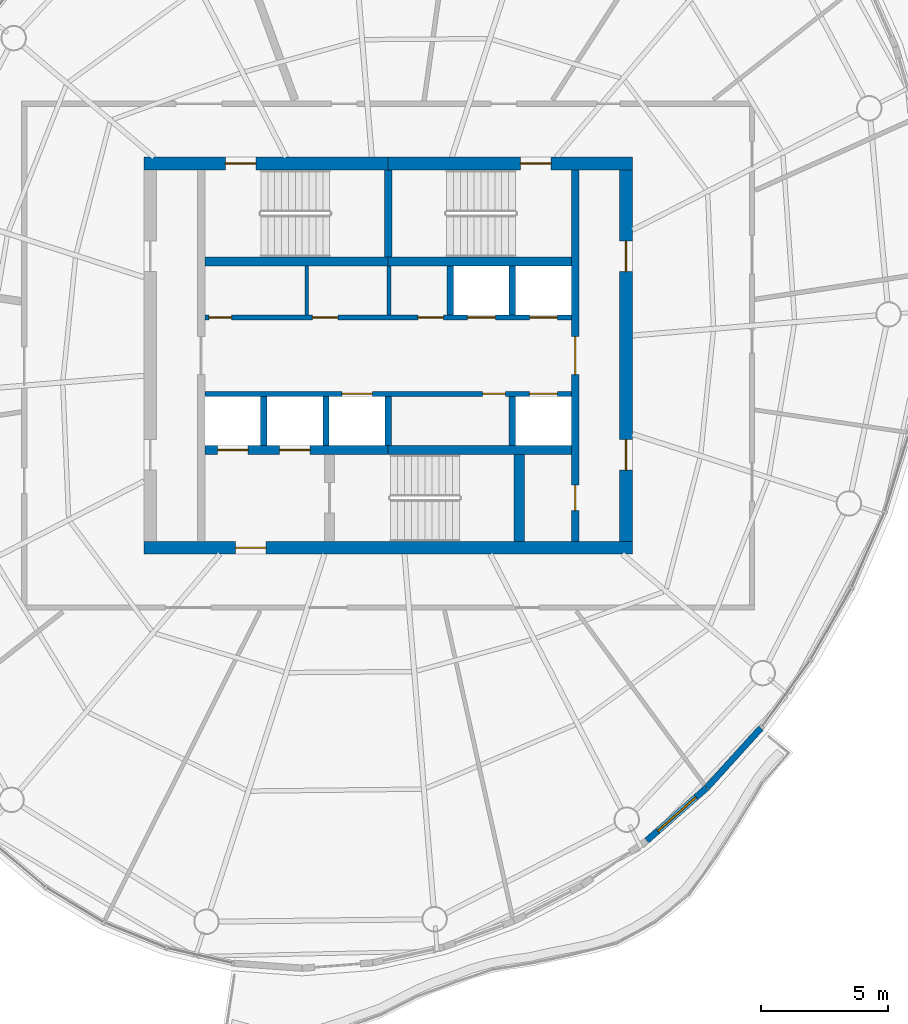
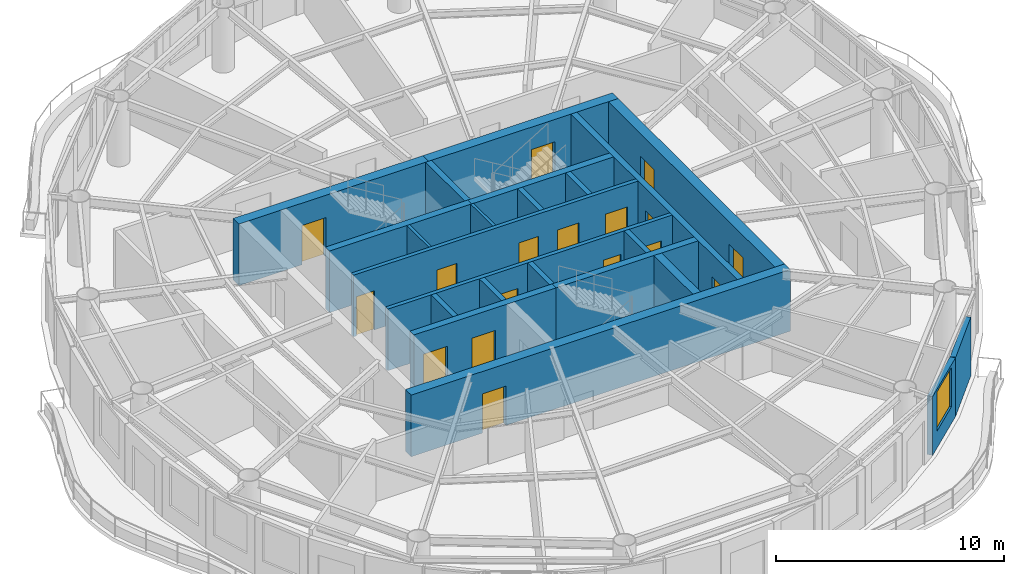
# One storey, part 8 of 13: 23 walls, 17 doors, 1 window, 18 openings.
"""IFC4 building model written with IfcOpenShell, lengths in metres."""

from ifc_helpers import new_model, si_unit, direction, frame, frame_2d, origin, place, context, subcontext, project, spatial, rectangle, extrude, material, layer, layer_set, type_object, element, fill, save


model = new_model("IFC4")

# Units and contexts
model_context = context("Model", 3, precision=1e-05, world=origin(), true_north=direction((0.0, 1.0)))
body_context = subcontext(model_context, "Body", "Model", "MODEL_VIEW")
ifc_project = project(units=[si_unit("LENGTHUNIT", "METRE"), si_unit("AREAUNIT", "SQUARE_METRE"), si_unit("VOLUMEUNIT", "CUBIC_METRE"), si_unit("PLANEANGLEUNIT", "RADIAN"), si_unit("MASSUNIT", "GRAM", prefix="KILO")], contexts=[model_context])

# Site, building, storey
site_placement = place(None, origin())
site = spatial("IfcSite", under=ifc_project, at=site_placement, CompositionType="ELEMENT")
building_placement = place(site_placement, origin())
building = spatial("IfcBuilding", under=site, at=building_placement, Name="Vermilion Reach Broadcast Tower", CompositionType="ELEMENT")
storey_placement = place(building_placement, frame((0.0, 0.0, 286.5)))
storey = spatial("IfcBuildingStorey", under=building, at=storey_placement, Name="L71", CompositionType="ELEMENT", Elevation=286.5)

# Wall, openings, doors
ifc_material_1 = material(Name="Concrete C50", Category="concrete")
ifc_layer_1 = layer(ifc_material_1, 0.300048828125)
ifc_layer_set_1 = layer_set([ifc_layer_1], Name="Core inner wall 300 mm Concrete C50")
wall_type_1 = type_object("IfcWallType", Name="Core inner wall 300 mm Concrete C50", PredefinedType="SHEAR", material=ifc_layer_set_1)
wall_1_placement = place(storey_placement, frame((1.35009765625, -7.300048828125, 0.0), z_axis=(0.0, 0.0, 1.0), x_axis=(0.0, 1.0, 0.0)))
wall_1 = element("IfcWall", 1, at=wall_1_placement, inside=storey, type_object=wall_type_1, Name="L71 core wall ewE", PredefinedType="SHEAR", context=body_context, shape_type="SweptSolid", body=[
    extrude(rectangle(XDim=14.60009765625, YDim=0.300048828125, at=frame_2d((7.300048828125, 0.0))), origin(), (0.0, 0.0, 1.0), 3.300048828125),
])
opening_1_placement = place(wall_1_placement, frame((1.2099609375, 0.0, 0.0)))
opening_1 = element("IfcOpeningElement", 2, at=opening_1_placement, cuts=wall_1, Name="Opening D05", PredefinedType="OPENING", context=body_context, shape_type="SweptSolid", body=[
    extrude(rectangle(XDim=1.0, YDim=2.10009765625, at=frame_2d((0.5, 1.050048828125))), frame((0.0, 0.159912109375, 0.0), z_axis=(0.0, -1.0, 0.0), x_axis=(1.0, 0.0, 0.0)), (0.0, 0.0, 1.0), 0.320068359375),
])
opening_2_placement = place(wall_1_placement, frame((6.550048828125, 0.0, 0.0)))
opening_2 = element("IfcOpeningElement", 3, at=opening_2_placement, cuts=wall_1, Name="Opening D04", PredefinedType="OPENING", context=body_context, shape_type="SweptSolid", body=[
    extrude(rectangle(XDim=1.5, YDim=2.10009765625, at=frame_2d((0.75, 1.050048828125))), frame((0.0, 0.159912109375, 0.0), z_axis=(0.0, -1.0, 0.0), x_axis=(1.0, 0.0, 0.0)), (0.0, 0.0, 1.0), 0.320068359375),
])
ifc_material_2 = material(Name="Painted steel fire door", Category="steel")
door_type_1 = type_object("IfcDoorType", Name="Lift lobby door 1500 x 2100", OperationType="DOUBLE_DOOR_SINGLE_SWING", PredefinedType="NOTDEFINED", material=ifc_material_2)
door_1_placement = place(opening_2_placement, origin())
door_1 = element("IfcDoor", 4, at=door_1_placement, inside=storey, type_object=door_type_1, Name="L71 band door BE", OperationType="DOUBLE_DOOR_SINGLE_SWING", OverallHeight=2.10009765625, OverallWidth=1.5, PredefinedType="NOTDEFINED", context=body_context, shape_type="SweptSolid", body=[
    extrude(rectangle(XDim=1.5, YDim=2.10009765625, at=frame_2d((0.75, 1.050048828125))), frame((0.0, 0.02490234375, 0.0), z_axis=(0.0, -1.0, 0.0), x_axis=(1.0, 0.0, 0.0)), (0.0, 0.0, 1.0), 0.050048828125),
])
fill(opening_2, door_1)
ifc_material_3 = material(Name="Timber door", Category="wood")
door_type_2 = type_object("IfcDoorType", Name="Room door 1000 x 2100", OperationType="NOTDEFINED", PredefinedType="NOTDEFINED", material=ifc_material_3)
door_2_placement = place(opening_1_placement, origin())
door_2 = element("IfcDoor", 5, at=door_2_placement, inside=storey, type_object=door_type_2, Name="L71 door SER", OperationType="SINGLE_SWING_LEFT", OverallHeight=2.10009765625, OverallWidth=1.0, PredefinedType="NOTDEFINED", context=body_context, shape_type="SweptSolid", body=[
    extrude(rectangle(XDim=1.0, YDim=2.10009765625, at=frame_2d((0.5, 1.050048828125))), frame((0.0, 0.02490234375, 0.0), z_axis=(0.0, -1.0, 0.0), x_axis=(1.0, 0.0, 0.0)), (0.0, 0.0, 1.0), 0.050048828125),
])
fill(opening_1, door_2)

# Walls
wall_2_placement = place(storey_placement, frame((-6.0, 3.8798828125, 0.0), z_axis=(0.0, 0.0, 1.0), x_axis=(0.0, 1.0, 0.0)))
element("IfcWall", 6, at=wall_2_placement, inside=storey, type_object=wall_type_1, Name="L71 core wall wc", PredefinedType="SHEAR", context=body_context, shape_type="SweptSolid", body=[
    extrude(rectangle(XDim=3.420166015625, YDim=0.300048828125, at=frame_2d((1.7099609375, 0.0))), origin(), (0.0, 0.0, 1.0), 3.300048828125),
])
ifc_material_4 = material(Name="Concrete C50", Category="concrete")
ifc_layer_2 = layer(ifc_material_4, 0.35009765625)
ifc_layer_set_2 = layer_set([ifc_layer_2], Name="Core inner wall 350 mm Concrete C50")
wall_type_2 = type_object("IfcWallType", Name="Core inner wall 350 mm Concrete C50", PredefinedType="SHEAR", material=ifc_layer_set_2)
for number, where, z_axis, x_axis, name in (
    (7, (-13.199951171875, 3.705078125, 0.0), (0.0, 0.0, 1.0), (1.0, 0.0, 0.0), "L71 core wall winW"),
    (8, (-6.0, 3.705078125, 0.0), (0.0, 0.0, 1.0), (1.0, 0.0, 0.0), "L71 core wall winE"),
):
    element("IfcWall", number, at=place(storey_placement, frame(where, z_axis=z_axis, x_axis=x_axis)), inside=storey, type_object=wall_type_2, Name=name, PredefinedType="SHEAR", context=body_context, shape_type="SweptSolid", body=[
        extrude(rectangle(XDim=7.199951171875, YDim=0.35009765625, at=frame_2d((3.60009765625, 0.0))), origin(), (0.0, 0.0, 1.0), 3.300048828125),
    ])

# Wall, openings, doors
wall_3_placement = place(storey_placement, frame((-13.199951171875, -3.705078125, 0.0), z_axis=(0.0, 0.0, 1.0), x_axis=(1.0, 0.0, 0.0)))
wall_3 = element("IfcWall", 9, at=wall_3_placement, inside=storey, type_object=wall_type_2, Name="L71 core wall wisW", PredefinedType="SHEAR", context=body_context, shape_type="SweptSolid", body=[
    extrude(rectangle(XDim=7.199951171875, YDim=0.35009765625, at=frame_2d((3.60009765625, 0.0))), origin(), (0.0, 0.0, 1.0), 3.300048828125),
])
opening_3_placement = place(wall_3_placement, frame((0.495849609375, 0.0, 0.0)))
opening_3 = element("IfcOpeningElement", 10, at=opening_3_placement, cuts=wall_3, Name="Opening LD1", PredefinedType="OPENING", context=body_context, shape_type="SweptSolid", body=[
    extrude(rectangle(XDim=1.199951171875, YDim=2.10009765625, at=frame_2d((0.60009765625, 1.050048828125))), frame((0.0, 0.18505859375, 0.0), z_axis=(0.0, -1.0, 0.0), x_axis=(1.0, 0.0, 0.0)), (0.0, 0.0, 1.0), 0.3701171875),
])
opening_4_placement = place(wall_3_placement, frame((2.9375, 0.0, 0.0)))
opening_4 = element("IfcOpeningElement", 11, at=opening_4_placement, cuts=wall_3, Name="Opening LD1", PredefinedType="OPENING", context=body_context, shape_type="SweptSolid", body=[
    extrude(rectangle(XDim=1.199951171875, YDim=2.10009765625, at=frame_2d((0.60009765625, 1.050048828125))), frame((0.0, 0.18505859375, 0.0), z_axis=(0.0, -1.0, 0.0), x_axis=(1.0, 0.0, 0.0)), (0.0, 0.0, 1.0), 0.3701171875),
])
ifc_material_5 = material(Name="Stainless steel", Category="steel")
door_type_3 = type_object("IfcDoorType", Name="Landing door 1200 x 2100", OperationType="DOUBLE_DOOR_SLIDING", PredefinedType="NOTDEFINED", material=ifc_material_5)
door_3_placement = place(opening_3_placement, origin())
door_3 = element("IfcDoor", 12, at=door_3_placement, inside=storey, type_object=door_type_3, Name="L71 landing door FF1", OperationType="DOUBLE_DOOR_SLIDING", OverallHeight=2.10009765625, OverallWidth=1.199951171875, PredefinedType="NOTDEFINED", context=body_context, shape_type="SweptSolid", body=[
    extrude(rectangle(XDim=1.199951171875, YDim=2.10009765625, at=frame_2d((0.60009765625, 1.050048828125))), frame((0.0, 0.02490234375, 0.0), z_axis=(0.0, -1.0, 0.0), x_axis=(1.0, 0.0, 0.0)), (0.0, 0.0, 1.0), 0.050048828125),
])
fill(opening_3, door_3)
door_4_placement = place(opening_4_placement, origin())
door_4 = element("IfcDoor", 13, at=door_4_placement, inside=storey, type_object=door_type_3, Name="L71 landing door FF2", OperationType="DOUBLE_DOOR_SLIDING", OverallHeight=2.10009765625, OverallWidth=1.199951171875, PredefinedType="NOTDEFINED", context=body_context, shape_type="SweptSolid", body=[
    extrude(rectangle(XDim=1.199951171875, YDim=2.10009765625, at=frame_2d((0.60009765625, 1.050048828125))), frame((0.0, 0.02490234375, 0.0), z_axis=(0.0, -1.0, 0.0), x_axis=(1.0, 0.0, 0.0)), (0.0, 0.0, 1.0), 0.050048828125),
])
fill(opening_4, door_4)

# Walls
wall_4_placement = place(storey_placement, frame((-6.0, -3.705078125, 0.0), z_axis=(0.0, 0.0, 1.0), x_axis=(1.0, 0.0, 0.0)))
element("IfcWall", 14, at=wall_4_placement, inside=storey, type_object=wall_type_2, Name="L71 core wall wisE", PredefinedType="SHEAR", context=body_context, shape_type="SweptSolid", body=[
    extrude(rectangle(XDim=7.199951171875, YDim=0.35009765625, at=frame_2d((3.60009765625, 0.0))), origin(), (0.0, 0.0, 1.0), 3.300048828125),
])
ifc_material_6 = material(Name="Concrete C50", Category="concrete")
ifc_layer_3 = layer(ifc_material_6, 0.39990234375)
ifc_layer_set_3 = layer_set([ifc_layer_3], Name="Core inner wall 400 mm Concrete C50")
wall_type_3 = type_object("IfcWallType", Name="Core inner wall 400 mm Concrete C50", PredefinedType="SHEAR", material=ifc_layer_set_3)
wall_5_placement = place(storey_placement, frame((-0.85009765625, -3.8798828125, 0.0), z_axis=(0.0, 0.0, 1.0), x_axis=(0.0, -1.0, 0.0)))
element("IfcWall", 15, at=wall_5_placement, inside=storey, type_object=wall_type_3, Name="L71 core wall wb", PredefinedType="SHEAR", context=body_context, shape_type="SweptSolid", body=[
    extrude(rectangle(XDim=3.420166015625, YDim=0.39990234375, at=frame_2d((1.7099609375, 0.0))), origin(), (0.0, 0.0, 1.0), 3.300048828125),
])

# Wall, opening, door
ifc_material_7 = material(Name="Concrete C50", Category="concrete")
ifc_layer_4 = layer(ifc_material_7, 0.5)
ifc_layer_set_4 = layer_set([ifc_layer_4], Name="Core outer wall 500 mm Concrete C50")
wall_type_4 = type_object("IfcWallType", Name="Core outer wall 500 mm Concrete C50", PredefinedType="SHEAR", material=ifc_layer_set_4)
wall_6_placement = place(storey_placement, frame((3.60009765625, 7.550048828125, 0.0), z_axis=(0.0, 0.0, 1.0), x_axis=(-1.0, 0.0, 0.0)))
wall_6 = element("IfcWall", 16, at=wall_6_placement, inside=storey, type_object=wall_type_4, Name="L71 core wall onE", PredefinedType="SHEAR", context=body_context, shape_type="SweptSolid", body=[
    extrude(rectangle(XDim=9.60009765625, YDim=0.5, at=frame_2d((4.800048828125, 0.0))), origin(), (0.0, 0.0, 1.0), 3.300048828125),
])
opening_5_placement = place(wall_6_placement, frame((3.199951171875, 0.0, 0.0)))
opening_5 = element("IfcOpeningElement", 17, at=opening_5_placement, cuts=wall_6, Name="Opening D01", PredefinedType="OPENING", context=body_context, shape_type="SweptSolid", body=[
    extrude(rectangle(XDim=1.199951171875, YDim=2.10009765625, at=frame_2d((0.60009765625, 1.050048828125))), frame((0.0, 0.260009765625, 0.0), z_axis=(0.0, -1.0, 0.0), x_axis=(1.0, 0.0, 0.0)), (0.0, 0.0, 1.0), 0.52001953125),
])
ifc_material_8 = material(Name="Painted steel fire door", Category="steel")
door_type_4 = type_object("IfcDoorType", Name="Stair door 1200 x 2100", OperationType="DOUBLE_DOOR_SINGLE_SWING", PredefinedType="NOTDEFINED", material=ifc_material_8)
door_5_placement = place(opening_5_placement, origin())
door_5 = element("IfcDoor", 18, at=door_5_placement, inside=storey, type_object=door_type_4, Name="L71 stair door ST2", OperationType="DOUBLE_DOOR_SINGLE_SWING", OverallHeight=2.10009765625, OverallWidth=1.199951171875, PredefinedType="NOTDEFINED", context=body_context, shape_type="SweptSolid", body=[
    extrude(rectangle(XDim=1.199951171875, YDim=2.10009765625, at=frame_2d((0.60009765625, 1.050048828125))), frame((0.0, 0.02490234375, 0.0), z_axis=(0.0, -1.0, 0.0), x_axis=(1.0, 0.0, 0.0)), (0.0, 0.0, 1.0), 0.050048828125),
])
fill(opening_5, door_5)

wall_7_placement = place(storey_placement, frame((-6.0, 7.550048828125, 0.0), z_axis=(0.0, 0.0, 1.0), x_axis=(-1.0, 0.0, 0.0)))
wall_7 = element("IfcWall", 19, at=wall_7_placement, inside=storey, type_object=wall_type_4, Name="L71 core wall onW", PredefinedType="SHEAR", context=body_context, shape_type="SweptSolid", body=[
    extrude(rectangle(XDim=9.60009765625, YDim=0.5, at=frame_2d((4.800048828125, 0.0))), origin(), (0.0, 0.0, 1.0), 3.300048828125),
])
opening_6_placement = place(wall_7_placement, frame((5.199951171875, 0.0, 0.0)))
opening_6 = element("IfcOpeningElement", 20, at=opening_6_placement, cuts=wall_7, Name="Opening D01", PredefinedType="OPENING", context=body_context, shape_type="SweptSolid", body=[
    extrude(rectangle(XDim=1.199951171875, YDim=2.10009765625, at=frame_2d((0.60009765625, 1.050048828125))), frame((0.0, 0.260009765625, 0.0), z_axis=(0.0, -1.0, 0.0), x_axis=(1.0, 0.0, 0.0)), (0.0, 0.0, 1.0), 0.52001953125),
])
door_6_placement = place(opening_6_placement, origin())
door_6 = element("IfcDoor", 21, at=door_6_placement, inside=storey, type_object=door_type_4, Name="L71 stair door ST1", OperationType="DOUBLE_DOOR_SINGLE_SWING", OverallHeight=2.10009765625, OverallWidth=1.199951171875, PredefinedType="NOTDEFINED", context=body_context, shape_type="SweptSolid", body=[
    extrude(rectangle(XDim=1.199951171875, YDim=2.10009765625, at=frame_2d((0.60009765625, 1.050048828125))), frame((0.0, 0.02490234375, 0.0), z_axis=(0.0, -1.0, 0.0), x_axis=(1.0, 0.0, 0.0)), (0.0, 0.0, 1.0), 0.050048828125),
])
fill(opening_6, door_6)

wall_8_placement = place(storey_placement, frame((-15.60009765625, -7.550048828125, 0.0), z_axis=(0.0, 0.0, 1.0), x_axis=(1.0, 0.0, 0.0)))
wall_8 = element("IfcWall", 22, at=wall_8_placement, inside=storey, type_object=wall_type_4, Name="L71 core wall os", PredefinedType="SHEAR", context=body_context, shape_type="SweptSolid", body=[
    extrude(rectangle(XDim=19.2001953125, YDim=0.5, at=frame_2d((9.60009765625, 0.0))), origin(), (0.0, 0.0, 1.0), 3.300048828125),
])
opening_7_placement = place(wall_8_placement, frame((3.60009765625, 0.0, 0.0)))
opening_7 = element("IfcOpeningElement", 23, at=opening_7_placement, cuts=wall_8, Name="Opening D02", PredefinedType="OPENING", context=body_context, shape_type="SweptSolid", body=[
    extrude(rectangle(XDim=1.199951171875, YDim=2.10009765625, at=frame_2d((0.60009765625, 1.050048828125))), frame((0.0, 0.260009765625, 0.0), z_axis=(0.0, -1.0, 0.0), x_axis=(1.0, 0.0, 0.0)), (0.0, 0.0, 1.0), 0.52001953125),
])
ifc_material_9 = material(Name="Painted steel fire door", Category="steel")
door_type_5 = type_object("IfcDoorType", Name="Firefighting lobby door 1200 x 2100", OperationType="DOUBLE_DOOR_SINGLE_SWING", PredefinedType="NOTDEFINED", material=ifc_material_9)
door_7_placement = place(opening_7_placement, origin())
door_7 = element("IfcDoor", 24, at=door_7_placement, inside=storey, type_object=door_type_5, Name="L71 ffdoor door FFL", OperationType="DOUBLE_DOOR_SINGLE_SWING", OverallHeight=2.10009765625, OverallWidth=1.199951171875, PredefinedType="NOTDEFINED", context=body_context, shape_type="SweptSolid", body=[
    extrude(rectangle(XDim=1.199951171875, YDim=2.10009765625, at=frame_2d((0.60009765625, 1.050048828125))), frame((0.0, 0.02490234375, 0.0), z_axis=(0.0, -1.0, 0.0), x_axis=(1.0, 0.0, 0.0)), (0.0, 0.0, 1.0), 0.050048828125),
])
fill(opening_7, door_7)

# Wall, openings, doors
wall_9_placement = place(storey_placement, frame((3.35009765625, -7.300048828125, 0.0), z_axis=(0.0, 0.0, 1.0), x_axis=(0.0, 1.0, 0.0)))
wall_9 = element("IfcWall", 25, at=wall_9_placement, inside=storey, type_object=wall_type_4, Name="L71 core wall oe", PredefinedType="SHEAR", context=body_context, shape_type="SweptSolid", body=[
    extrude(rectangle(XDim=14.60009765625, YDim=0.5, at=frame_2d((7.300048828125, 0.0))), origin(), (0.0, 0.0, 1.0), 3.300048828125),
])
opening_8_placement = place(wall_9_placement, frame((2.800048828125, 0.0, 0.0)))
opening_8 = element("IfcOpeningElement", 26, at=opening_8_placement, cuts=wall_9, Name="Opening D03", PredefinedType="OPENING", context=body_context, shape_type="SweptSolid", body=[
    extrude(rectangle(XDim=1.199951171875, YDim=2.10009765625, at=frame_2d((0.60009765625, 1.050048828125))), frame((0.0, 0.260009765625, 0.0), z_axis=(0.0, -1.0, 0.0), x_axis=(1.0, 0.0, 0.0)), (0.0, 0.0, 1.0), 0.52001953125),
])
opening_9_placement = place(wall_9_placement, frame((10.60009765625, 0.0, 0.0)))
opening_9 = element("IfcOpeningElement", 27, at=opening_9_placement, cuts=wall_9, Name="Opening D03", PredefinedType="OPENING", context=body_context, shape_type="SweptSolid", body=[
    extrude(rectangle(XDim=1.199951171875, YDim=2.10009765625, at=frame_2d((0.60009765625, 1.050048828125))), frame((0.0, 0.260009765625, 0.0), z_axis=(0.0, -1.0, 0.0), x_axis=(1.0, 0.0, 0.0)), (0.0, 0.0, 1.0), 0.52001953125),
])
ifc_material_10 = material(Name="Painted steel fire door", Category="steel")
door_type_6 = type_object("IfcDoorType", Name="Core lobby door 1200 x 2100", OperationType="DOUBLE_DOOR_SINGLE_SWING", PredefinedType="NOTDEFINED", material=ifc_material_10)
door_8_placement = place(opening_8_placement, origin())
door_8 = element("IfcDoor", 28, at=door_8_placement, inside=storey, type_object=door_type_6, Name="L71 slot door E0", OperationType="DOUBLE_DOOR_SINGLE_SWING", OverallHeight=2.10009765625, OverallWidth=1.199951171875, PredefinedType="NOTDEFINED", context=body_context, shape_type="SweptSolid", body=[
    extrude(rectangle(XDim=1.199951171875, YDim=2.10009765625, at=frame_2d((0.60009765625, 1.050048828125))), frame((0.0, 0.02490234375, 0.0), z_axis=(0.0, -1.0, 0.0), x_axis=(1.0, 0.0, 0.0)), (0.0, 0.0, 1.0), 0.050048828125),
])
fill(opening_8, door_8)
door_9_placement = place(opening_9_placement, origin())
door_9 = element("IfcDoor", 29, at=door_9_placement, inside=storey, type_object=door_type_6, Name="L71 slot door E1", OperationType="DOUBLE_DOOR_SINGLE_SWING", OverallHeight=2.10009765625, OverallWidth=1.199951171875, PredefinedType="NOTDEFINED", context=body_context, shape_type="SweptSolid", body=[
    extrude(rectangle(XDim=1.199951171875, YDim=2.10009765625, at=frame_2d((0.60009765625, 1.050048828125))), frame((0.0, 0.02490234375, 0.0), z_axis=(0.0, -1.0, 0.0), x_axis=(1.0, 0.0, 0.0)), (0.0, 0.0, 1.0), 0.050048828125),
])
fill(opening_9, door_9)

# Walls
ifc_material_11 = material(Name="Masonry block", Category="masonry")
ifc_layer_5 = layer(ifc_material_11, 0.14990234375)
ifc_layer_set_5 = layer_set([ifc_layer_5], Name="Core partition wall 150 mm Masonry block")
wall_type_5 = type_object("IfcWallType", Name="Core partition wall 150 mm Masonry block", PredefinedType="PARTITIONING", material=ifc_layer_set_5)
for number, where, z_axis, x_axis, name in (
    (30, (-9.202880859375, 1.60009765625, 0.0), (0.0, 0.0, 1.0), (0.0, 1.0, 0.0), "L71 core wall prN-3203"),
    (31, (-5.96728515625, 1.60009765625, 0.0), (0.0, 0.0, 1.0), (0.0, 1.0, 0.0), "L71 core wall prN33"),
):
    element("IfcWall", number, at=place(storey_placement, frame(where, z_axis=z_axis, x_axis=x_axis)), inside=storey, type_object=wall_type_5, Name=name, PredefinedType="PARTITIONING", context=body_context, shape_type="SweptSolid", body=[
        extrude(rectangle(XDim=1.929931640625, YDim=0.14990234375, at=frame_2d((0.96484375, 0.0))), origin(), (0.0, 0.0, 1.0), 3.300048828125),
    ])

# Wall, openings, doors
ifc_material_12 = material(Name="Concrete C50", Category="concrete")
ifc_layer_6 = layer(ifc_material_12, 0.199951171875)
ifc_layer_set_6 = layer_set([ifc_layer_6], Name="Core shaft wall 200 mm Concrete C50")
wall_type_6 = type_object("IfcWallType", Name="Core shaft wall 200 mm Concrete C50", PredefinedType="SHEAR", material=ifc_layer_set_6)
wall_10_placement = place(storey_placement, frame((-13.199951171875, 1.5, 0.0), z_axis=(0.0, 0.0, 1.0), x_axis=(1.0, 0.0, 0.0)))
wall_10 = element("IfcWall", 32, at=wall_10_placement, inside=storey, type_object=wall_type_6, Name="L71 core wall fn", PredefinedType="SHEAR", context=body_context, shape_type="SweptSolid", body=[
    extrude(rectangle(XDim=14.39990234375, YDim=0.199951171875, at=frame_2d((7.199951171875, 0.0))), origin(), (0.0, 0.0, 1.0), 3.300048828125),
])
opening_10_placement = place(wall_10_placement, frame((10.3125, 0.0, 0.0)))
opening_10 = element("IfcOpeningElement", 33, at=opening_10_placement, cuts=wall_10, Name="Opening LD2", PredefinedType="OPENING", context=body_context, shape_type="SweptSolid", body=[
    extrude(rectangle(XDim=1.10009765625, YDim=2.10009765625, at=frame_2d((0.550048828125, 1.050048828125))), frame((0.0, 0.10986328125, 0.0), z_axis=(0.0, -1.0, 0.0), x_axis=(1.0, 0.0, 0.0)), (0.0, 0.0, 1.0), 0.219970703125),
])
opening_11_placement = place(wall_10_placement, frame((12.754150390625, 0.0, 0.0)))
opening_11 = element("IfcOpeningElement", 34, at=opening_11_placement, cuts=wall_10, Name="Opening LD2", PredefinedType="OPENING", context=body_context, shape_type="SweptSolid", body=[
    extrude(rectangle(XDim=1.10009765625, YDim=2.10009765625, at=frame_2d((0.550048828125, 1.050048828125))), frame((0.0, 0.10986328125, 0.0), z_axis=(0.0, -1.0, 0.0), x_axis=(1.0, 0.0, 0.0)), (0.0, 0.0, 1.0), 0.219970703125),
])
opening_12_placement = place(wall_10_placement, frame((0.14990234375, 0.0, 0.0)))
opening_12 = element("IfcOpeningElement", 35, at=opening_12_placement, cuts=wall_10, Name="Opening D06", PredefinedType="OPENING", context=body_context, shape_type="SweptSolid", body=[
    extrude(rectangle(XDim=0.89990234375, YDim=2.10009765625, at=frame_2d((0.449951171875, 1.050048828125))), frame((0.0, 0.10986328125, 0.0), z_axis=(0.0, -1.0, 0.0), x_axis=(1.0, 0.0, 0.0)), (0.0, 0.0, 1.0), 0.219970703125),
])
opening_13_placement = place(wall_10_placement, frame((4.221923828125, 0.0, 0.0)))
opening_13 = element("IfcOpeningElement", 36, at=opening_13_placement, cuts=wall_10, Name="Opening D07", PredefinedType="OPENING", context=body_context, shape_type="SweptSolid", body=[
    extrude(rectangle(XDim=1.0, YDim=2.10009765625, at=frame_2d((0.5, 1.050048828125))), frame((0.0, 0.10986328125, 0.0), z_axis=(0.0, -1.0, 0.0), x_axis=(1.0, 0.0, 0.0)), (0.0, 0.0, 1.0), 0.219970703125),
])
opening_14_placement = place(wall_10_placement, frame((8.36669921875, 0.0, 0.0)))
opening_14 = element("IfcOpeningElement", 37, at=opening_14_placement, cuts=wall_10, Name="Opening D10", PredefinedType="OPENING", context=body_context, shape_type="SweptSolid", body=[
    extrude(rectangle(XDim=1.0, YDim=2.10009765625, at=frame_2d((0.5, 1.050048828125))), frame((0.0, 0.10986328125, 0.0), z_axis=(0.0, -1.0, 0.0), x_axis=(1.0, 0.0, 0.0)), (0.0, 0.0, 1.0), 0.219970703125),
])
ifc_material_13 = material(Name="Timber door", Category="wood")
door_type_7 = type_object("IfcDoorType", Name="Accessible WC door 1000 x 2100", OperationType="NOTDEFINED", PredefinedType="NOTDEFINED", material=ifc_material_13)
door_10_placement = place(opening_13_placement, origin())
door_10 = element("IfcDoor", 38, at=door_10_placement, inside=storey, type_object=door_type_7, Name="L71 door Accessible WC", OperationType="SINGLE_SWING_LEFT", OverallHeight=2.10009765625, OverallWidth=1.0, PredefinedType="NOTDEFINED", context=body_context, shape_type="SweptSolid", body=[
    extrude(rectangle(XDim=1.0, YDim=2.10009765625, at=frame_2d((0.5, 1.050048828125))), frame((0.0, 0.02490234375, 0.0), z_axis=(0.0, -1.0, 0.0), x_axis=(1.0, 0.0, 0.0)), (0.0, 0.0, 1.0), 0.050048828125),
])
fill(opening_13, door_10)
ifc_material_14 = material(Name="Stainless steel", Category="steel")
door_type_8 = type_object("IfcDoorType", Name="Landing door 1100 x 2100", OperationType="DOUBLE_DOOR_SLIDING", PredefinedType="NOTDEFINED", material=ifc_material_14)
door_11_placement = place(opening_10_placement, origin())
door_11 = element("IfcDoor", 39, at=door_11_placement, inside=storey, type_object=door_type_8, Name="L71 landing door HR1", OperationType="DOUBLE_DOOR_SLIDING", OverallHeight=2.10009765625, OverallWidth=1.10009765625, PredefinedType="NOTDEFINED", context=body_context, shape_type="SweptSolid", body=[
    extrude(rectangle(XDim=1.10009765625, YDim=2.10009765625, at=frame_2d((0.550048828125, 1.050048828125))), frame((0.0, 0.02490234375, 0.0), z_axis=(0.0, -1.0, 0.0), x_axis=(1.0, 0.0, 0.0)), (0.0, 0.0, 1.0), 0.050048828125),
])
fill(opening_10, door_11)
door_12_placement = place(opening_11_placement, origin())
door_12 = element("IfcDoor", 40, at=door_12_placement, inside=storey, type_object=door_type_8, Name="L71 landing door HR2", OperationType="DOUBLE_DOOR_SLIDING", OverallHeight=2.10009765625, OverallWidth=1.10009765625, PredefinedType="NOTDEFINED", context=body_context, shape_type="SweptSolid", body=[
    extrude(rectangle(XDim=1.10009765625, YDim=2.10009765625, at=frame_2d((0.550048828125, 1.050048828125))), frame((0.0, 0.02490234375, 0.0), z_axis=(0.0, -1.0, 0.0), x_axis=(1.0, 0.0, 0.0)), (0.0, 0.0, 1.0), 0.050048828125),
])
fill(opening_11, door_12)
ifc_material_15 = material(Name="Timber door", Category="wood")
door_type_9 = type_object("IfcDoorType", Name="WC door 900 x 2100", OperationType="NOTDEFINED", PredefinedType="NOTDEFINED", material=ifc_material_15)
door_13_placement = place(opening_12_placement, origin())
door_13 = element("IfcDoor", 41, at=door_13_placement, inside=storey, type_object=door_type_9, Name="L71 door Male WC", OperationType="SINGLE_SWING_LEFT", OverallHeight=2.10009765625, OverallWidth=0.89990234375, PredefinedType="NOTDEFINED", context=body_context, shape_type="SweptSolid", body=[
    extrude(rectangle(XDim=0.89990234375, YDim=2.10009765625, at=frame_2d((0.449951171875, 1.050048828125))), frame((0.0, 0.02490234375, 0.0), z_axis=(0.0, -1.0, 0.0), x_axis=(1.0, 0.0, 0.0)), (0.0, 0.0, 1.0), 0.050048828125),
])
fill(opening_12, door_13)
ifc_material_16 = material(Name="Timber door", Category="wood")
door_type_10 = type_object("IfcDoorType", Name="WC lobby door 1000 x 2100", OperationType="NOTDEFINED", PredefinedType="NOTDEFINED", material=ifc_material_16)
door_14_placement = place(opening_14_placement, origin())
door_14 = element("IfcDoor", 42, at=door_14_placement, inside=storey, type_object=door_type_10, Name="L71 door WC lobby", OperationType="SINGLE_SWING_RIGHT", OverallHeight=2.10009765625, OverallWidth=1.0, PredefinedType="NOTDEFINED", context=body_context, shape_type="SweptSolid", body=[
    extrude(rectangle(XDim=1.0, YDim=2.10009765625, at=frame_2d((0.5, 1.050048828125))), frame((0.0, 0.02490234375, 0.0), z_axis=(0.0, -1.0, 0.0), x_axis=(1.0, 0.0, 0.0)), (0.0, 0.0, 1.0), 0.050048828125),
])
fill(opening_14, door_14)

wall_11_placement = place(storey_placement, frame((1.199951171875, -1.5, 0.0), z_axis=(0.0, 0.0, 1.0), x_axis=(-1.0, 0.0, 0.0)))
wall_11 = element("IfcWall", 43, at=wall_11_placement, inside=storey, type_object=wall_type_6, Name="L71 core wall fs", PredefinedType="SHEAR", context=body_context, shape_type="SweptSolid", body=[
    extrude(rectangle(XDim=14.39990234375, YDim=0.199951171875, at=frame_2d((7.199951171875, 0.0))), origin(), (0.0, 0.0, 1.0), 3.300048828125),
])
opening_15_placement = place(wall_11_placement, frame((7.82080078125, 0.0, 0.0)))
opening_15 = element("IfcOpeningElement", 44, at=opening_15_placement, cuts=wall_11, Name="Opening LD1", PredefinedType="OPENING", context=body_context, shape_type="SweptSolid", body=[
    extrude(rectangle(XDim=1.199951171875, YDim=2.10009765625, at=frame_2d((0.60009765625, 1.050048828125))), frame((0.0, 0.10986328125, 0.0), z_axis=(0.0, -1.0, 0.0), x_axis=(1.0, 0.0, 0.0)), (0.0, 0.0, 1.0), 0.219970703125),
])
opening_16_placement = place(wall_11_placement, frame((0.5458984375, 0.0, 0.0)))
opening_16 = element("IfcOpeningElement", 45, at=opening_16_placement, cuts=wall_11, Name="Opening LD2", PredefinedType="OPENING", context=body_context, shape_type="SweptSolid", body=[
    extrude(rectangle(XDim=1.10009765625, YDim=2.10009765625, at=frame_2d((0.550048828125, 1.050048828125))), frame((0.0, 0.10986328125, 0.0), z_axis=(0.0, -1.0, 0.0), x_axis=(1.0, 0.0, 0.0)), (0.0, 0.0, 1.0), 0.219970703125),
])
opening_17_placement = place(wall_11_placement, frame((2.591552734375, 0.0, 0.0)))
opening_17 = element("IfcOpeningElement", 46, at=opening_17_placement, cuts=wall_11, Name="Opening D06", PredefinedType="OPENING", context=body_context, shape_type="SweptSolid", body=[
    extrude(rectangle(XDim=0.89990234375, YDim=2.10009765625, at=frame_2d((0.449951171875, 1.050048828125))), frame((0.0, 0.10986328125, 0.0), z_axis=(0.0, -1.0, 0.0), x_axis=(1.0, 0.0, 0.0)), (0.0, 0.0, 1.0), 0.219970703125),
])
door_15_placement = place(opening_16_placement, origin())
door_15 = element("IfcDoor", 47, at=door_15_placement, inside=storey, type_object=door_type_8, Name="L71 landing door HR3", OperationType="DOUBLE_DOOR_SLIDING", OverallHeight=2.10009765625, OverallWidth=1.10009765625, PredefinedType="NOTDEFINED", context=body_context, shape_type="SweptSolid", body=[
    extrude(rectangle(XDim=1.10009765625, YDim=2.10009765625, at=frame_2d((0.550048828125, 1.050048828125))), frame((0.0, 0.02490234375, 0.0), z_axis=(0.0, -1.0, 0.0), x_axis=(1.0, 0.0, 0.0)), (0.0, 0.0, 1.0), 0.050048828125),
])
fill(opening_16, door_15)
door_16_placement = place(opening_15_placement, origin())
door_16 = element("IfcDoor", 48, at=door_16_placement, inside=storey, type_object=door_type_3, Name="L71 landing door SV1", OperationType="DOUBLE_DOOR_SLIDING", OverallHeight=2.10009765625, OverallWidth=1.199951171875, PredefinedType="NOTDEFINED", context=body_context, shape_type="SweptSolid", body=[
    extrude(rectangle(XDim=1.199951171875, YDim=2.10009765625, at=frame_2d((0.60009765625, 1.050048828125))), frame((0.0, 0.02490234375, 0.0), z_axis=(0.0, -1.0, 0.0), x_axis=(1.0, 0.0, 0.0)), (0.0, 0.0, 1.0), 0.050048828125),
])
fill(opening_15, door_16)
door_17_placement = place(opening_17_placement, origin())
door_17 = element("IfcDoor", 49, at=door_17_placement, inside=storey, type_object=door_type_9, Name="L71 door Female WC", OperationType="SINGLE_SWING_LEFT", OverallHeight=2.10009765625, OverallWidth=0.89990234375, PredefinedType="NOTDEFINED", context=body_context, shape_type="SweptSolid", body=[
    extrude(rectangle(XDim=0.89990234375, YDim=2.10009765625, at=frame_2d((0.449951171875, 1.050048828125))), frame((0.0, 0.02490234375, 0.0), z_axis=(0.0, -1.0, 0.0), x_axis=(1.0, 0.0, 0.0)), (0.0, 0.0, 1.0), 0.050048828125),
])
fill(opening_17, door_17)

# Walls
ifc_material_17 = material(Name="Concrete C50", Category="concrete")
ifc_layer_7 = layer(ifc_material_17, 0.25)
ifc_layer_set_7 = layer_set([ifc_layer_7], Name="Core shaft wall 250 mm Concrete C50")
wall_type_7 = type_object("IfcWallType", Name="Core shaft wall 250 mm Concrete C50", PredefinedType="SHEAR", material=ifc_layer_set_7)
for number, where, z_axis, x_axis, name in (
    (50, (-3.558349609375, 1.60009765625, 0.0), (0.0, 0.0, 1.0), (0.0, 1.0, 0.0), "L71 core wall psN3"),
    (51, (-1.11669921875, 1.60009765625, 0.0), (0.0, 0.0, 1.0), (0.0, 1.0, 0.0), "L71 core wall psN4"),
    (52, (-10.88330078125, -1.60009765625, 0.0), (0.0, 0.0, 1.0), (0.0, -1.0, 0.0), "L71 core wall psS0"),
    (53, (-8.441650390625, -1.60009765625, 0.0), (0.0, 0.0, 1.0), (0.0, -1.0, 0.0), "L71 core wall psS1"),
    (54, (-6.0, -1.60009765625, 0.0), (0.0, 0.0, 1.0), (0.0, -1.0, 0.0), "L71 core wall psS2"),
    (55, (-1.11669921875, -1.60009765625, 0.0), (0.0, 0.0, 1.0), (0.0, -1.0, 0.0), "L71 core wall psS4"),
):
    element("IfcWall", number, at=place(storey_placement, frame(where, z_axis=z_axis, x_axis=x_axis)), inside=storey, type_object=wall_type_7, Name=name, PredefinedType="SHEAR", context=body_context, shape_type="SweptSolid", body=[
        extrude(rectangle(XDim=1.929931640625, YDim=0.25, at=frame_2d((0.96484375, 0.0))), origin(), (0.0, 0.0, 1.0), 3.300048828125),
    ])

# Wall, opening, window
ifc_material_18 = material(Name="Terracotta rainscreen cladding", Category="masonry")
ifc_layer_8 = layer(ifc_material_18, 0.25)
ifc_layer_set_8 = layer_set([ifc_layer_8], Name="Terracotta rainscreen wall 250")
wall_type_8 = type_object("IfcWallType", Name="Terracotta rainscreen wall 250", PredefinedType="SOLIDWALL", material=ifc_layer_set_8)
wall_12_placement = place(storey_placement, frame((4.16748046875, -19.05322265625, 0.0), z_axis=(0.0, 0.0, 1.0), x_axis=(0.750580626187, 0.660778876473, 0.0)))
wall_12 = element("IfcWall", 56, at=wall_12_placement, inside=storey, type_object=wall_type_8, Name="External wall L71 32", PredefinedType="SOLIDWALL", context=body_context, shape_type="SweptSolid", body=[
    extrude(rectangle(XDim=3.134521484375, YDim=0.25, at=frame_2d((1.5673828125, 0.0))), origin(), (0.0, 0.0, 1.0), 3.14990234375),
])
opening_18_placement = place(wall_12_placement, frame((0.567138671875, 0.0, 0.89990234375)))
opening_18 = element("IfcOpeningElement", 57, at=opening_18_placement, cuts=wall_12, Name="Opening W03", PredefinedType="OPENING", context=body_context, shape_type="SweptSolid", body=[
    extrude(rectangle(XDim=2.0, YDim=2.10009765625, at=frame_2d((1.0, 1.050048828125))), frame((0.0, 0.135009765625, 0.0), z_axis=(0.0, -1.0, 0.0), x_axis=(1.0, 0.0, 0.0)), (0.0, 0.0, 1.0), 0.27001953125),
])
ifc_material_19 = material(Name="Low-e laminated clear glass in aluminium frame", Category="aluminium")
window_type = type_object("IfcWindowType", Name="Punched window 2000 x 2100 sill 900", PartitioningType="SINGLE_PANEL", PredefinedType="WINDOW", material=ifc_material_19)
window_placement = place(opening_18_placement, origin())
window = element("IfcWindow", 58, at=window_placement, inside=storey, type_object=window_type, Name="Window L71 32", OverallHeight=2.10009765625, OverallWidth=2.0, PartitioningType="SINGLE_PANEL", PredefinedType="WINDOW", context=body_context, shape_type="SweptSolid", body=[
    extrude(rectangle(XDim=2.0, YDim=2.10009765625, at=frame_2d((1.0, 1.050048828125))), frame((0.0, 0.030029296875, 0.0), z_axis=(0.0, -1.0, 0.0), x_axis=(1.0, 0.0, 0.0)), (0.0, 0.0, 1.0), 0.06005859375),
])
fill(opening_18, window)

# Wall
wall_13_placement = place(storey_placement, frame((6.535888671875, -16.966552734375, 0.0), z_axis=(0.0, 0.0, 1.0), x_axis=(0.671535416704, 0.740972458403, 0.0)))
element("IfcWall", 59, at=wall_13_placement, inside=storey, type_object=wall_type_8, Name="External wall L71 33", PredefinedType="SOLIDWALL", context=body_context, shape_type="SweptSolid", body=[
    extrude(rectangle(XDim=3.143310546875, YDim=0.25, at=frame_2d((1.57177734375, 0.0))), origin(), (0.0, 0.0, 1.0), 3.14990234375),
])

save(model, "model.ifc")
